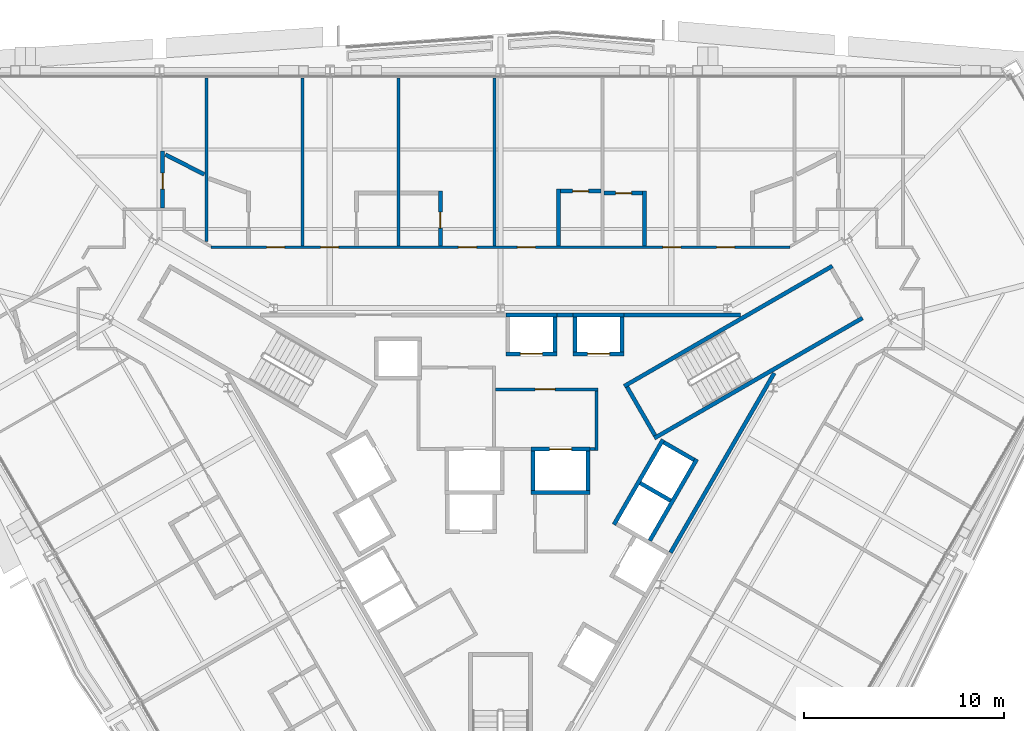
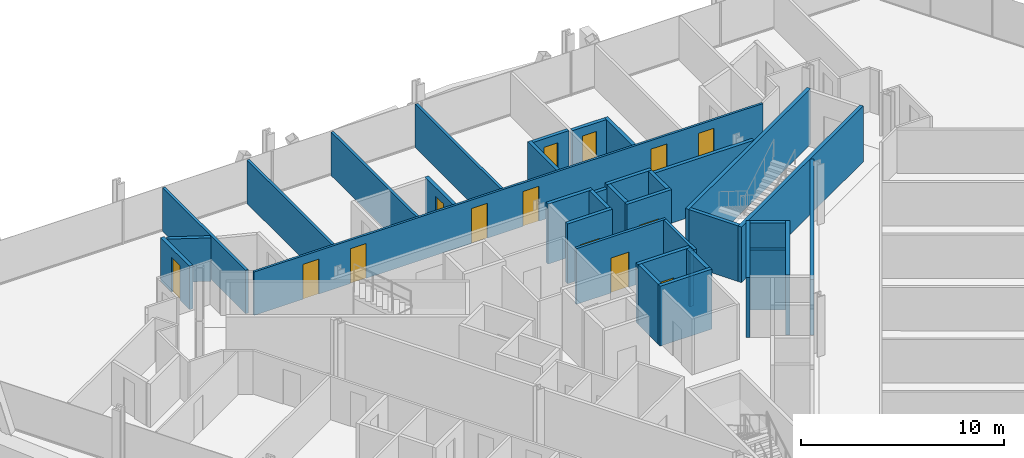
# One storey, part 15 of 18: 36 walls, 14 doors, 14 openings.
"""IFC4 building model written with IfcOpenShell, lengths in metres."""

from ifc_helpers import new_model, si_unit, direction, frame, frame_2d, origin, place, context, subcontext, project, spatial, rectangle, extrude, material, layer, layer_set, type_object, element, fill, save


model = new_model("IFC4")

# Units and contexts
model_context = context("Model", 3, precision=1e-05, world=origin(), true_north=direction((0.0, 1.0)))
body_context = subcontext(model_context, "Body", "Model", "MODEL_VIEW")
ifc_project = project(units=[si_unit("LENGTHUNIT", "METRE"), si_unit("AREAUNIT", "SQUARE_METRE"), si_unit("VOLUMEUNIT", "CUBIC_METRE"), si_unit("PLANEANGLEUNIT", "RADIAN"), si_unit("MASSUNIT", "GRAM", prefix="KILO")], contexts=[model_context])

# Site, building, storey
site_placement = place(None, origin())
site = spatial("IfcSite", under=ifc_project, at=site_placement, CompositionType="ELEMENT")
building_placement = place(site_placement, origin())
building = spatial("IfcBuilding", under=site, at=building_placement, Name="Verrane Prism Tower", CompositionType="ELEMENT")
storey_placement = place(building_placement, frame((0.0, 0.0, 54.800048828125)))
storey = spatial("IfcBuildingStorey", under=building, at=storey_placement, Name="L11", CompositionType="ELEMENT", Elevation=54.800048828125)

# Walls
ifc_material_1 = material(Name="Gypsum board partition", Category="other")
ifc_layer_1 = layer(ifc_material_1, 0.199951171875)
ifc_layer_set_1 = layer_set([ifc_layer_1], Name="CW-200 core boundary wall 2 h")
wall_type_1 = type_object("IfcWallType", Name="CW-200 core boundary wall 2 h", PredefinedType="PARTITIONING", material=ifc_layer_set_1)
wall_1_placement = place(storey_placement, frame((2.81689453125, 8.860107421875, 0.0), z_axis=(0.0, 0.0, 1.0), x_axis=(1.0, 0.0, 0.0)))
element("IfcWall", 1, at=wall_1_placement, inside=storey, type_object=wall_type_1, Name="Core boundary wall CW3-004", PredefinedType="PARTITIONING", context=body_context, shape_type="SweptSolid", body=[
    extrude(rectangle(XDim=0.80615234375, YDim=0.199951171875, at=frame_2d((0.403076171875, 0.0))), origin(), (0.0, 0.0, 1.0), 3.349853515625),
])
wall_2_placement = place(storey_placement, frame((6.177001953125, 8.860107421875, 0.0), z_axis=(0.0, 0.0, 1.0), x_axis=(1.0, 0.0, 0.0)))
element("IfcWall", 2, at=wall_2_placement, inside=storey, type_object=wall_type_1, Name="Core boundary wall CW3-006", PredefinedType="PARTITIONING", context=body_context, shape_type="SweptSolid", body=[
    extrude(rectangle(XDim=5.81396484375, YDim=0.199951171875, at=frame_2d((2.906982421875, 0.0))), origin(), (0.0, 0.0, 1.0), 3.349853515625),
])
wall_3_placement = place(storey_placement, frame((8.491943359375, -3.011962890625, 0.0), z_axis=(0.0, 0.0, 1.0), x_axis=(0.499972957231, 0.866041016371, 0.0)))
element("IfcWall", 3, at=wall_3_placement, inside=storey, type_object=wall_type_1, Name="Core boundary wall CW3-007", PredefinedType="PARTITIONING", context=body_context, shape_type="SweptSolid", body=[
    extrude(rectangle(XDim=10.3486328125, YDim=0.199951171875, at=frame_2d((5.17431640625, 0.0))), origin(), (0.0, 0.0, 1.0), 3.349853515625),
])
ifc_material_2 = material(Name="Concrete C40/50", Category="concrete")
ifc_layer_2 = layer(ifc_material_2, 0.199951171875)
ifc_layer_set_2 = layer_set([ifc_layer_2], Name="CW-200 stair core wall concrete C40/50 3 h")
wall_type_2 = type_object("IfcWallType", Name="CW-200 stair core wall concrete C40/50 3 h", PredefinedType="PARTITIONING", material=ifc_layer_set_2)
for number, where, z_axis, x_axis, name in (
    (4, (6.17822265625, 5.299072265625, 0.0), (0.0, 0.0, 1.0), (0.866026010844, 0.49999894854, 0.0), "Stair 1 enclosure wall"),
    (5, (7.67822265625, 2.700927734375, 0.0), (0.0, 0.0, 1.0), (0.866026010844, 0.49999894854, 0.0), "Stair 1 enclosure wall"),
):
    element("IfcWall", number, at=place(storey_placement, frame(where, z_axis=z_axis, x_axis=x_axis)), inside=storey, type_object=wall_type_2, Name=name, PredefinedType="PARTITIONING", context=body_context, shape_type="SweptSolid", body=[
        extrude(rectangle(XDim=12.0, YDim=0.199951171875, at=frame_2d((6.0, 0.0))), origin(), (0.0, 0.0, 1.0), 3.349853515625),
    ])
wall_4_placement = place(storey_placement, frame((7.71484375, 2.837646484375, 0.0), z_axis=(0.0, 0.0, 1.0), x_axis=(-0.500049511043, 0.865996816683, 0.0)))
element("IfcWall", 6, at=wall_4_placement, inside=storey, type_object=wall_type_2, Name="Stair 1 enclosure wall", PredefinedType="PARTITIONING", context=body_context, shape_type="SweptSolid", body=[
    extrude(rectangle(XDim=2.800048828125, YDim=0.199951171875, at=frame_2d((1.39990234375, 0.0))), origin(), (0.0, 0.0, 1.0), 3.349853515625),
])
ifc_material_3 = material(Name="Gypsum board shaft wall assembly", Category="other")
ifc_layer_3 = layer(ifc_material_3, 0.199951171875)
ifc_layer_set_3 = layer_set([ifc_layer_3], Name="HW-200 lift shaft wall 2 h")
wall_type_3 = type_object("IfcWallType", Name="HW-200 lift shaft wall 2 h", PredefinedType="PARTITIONING", material=ifc_layer_set_3)
wall_5_placement = place(storey_placement, frame((1.52490234375, 0.0, 0.0), z_axis=(0.0, 0.0, 1.0), x_axis=(1.0, 0.0, 0.0)))
element("IfcWall", 7, at=wall_5_placement, inside=storey, type_object=wall_type_3, Name="Lift shaft wall", PredefinedType="PARTITIONING", context=body_context, shape_type="SweptSolid", body=[
    extrude(rectangle(XDim=2.9501953125, YDim=0.199951171875, at=frame_2d((1.47509765625, 0.0))), origin(), (0.0, 0.0, 1.0), 3.599853515625),
])

# Wall, opening, door
wall_6_placement = place(storey_placement, frame((1.52490234375, 2.14990234375, 0.0), z_axis=(0.0, 0.0, 1.0), x_axis=(1.0, 0.0, 0.0)))
wall_6 = element("IfcWall", 8, at=wall_6_placement, inside=storey, type_object=wall_type_3, Name="Lift shaft wall", PredefinedType="PARTITIONING", context=body_context, shape_type="SweptSolid", body=[
    extrude(rectangle(XDim=2.9501953125, YDim=0.199951171875, at=frame_2d((1.47509765625, 0.0))), origin(), (0.0, 0.0, 1.0), 3.599853515625),
])
opening_1_placement = place(wall_6_placement, frame((0.925048828125, 0.0, 0.0)))
opening_1 = element("IfcOpeningElement", 9, at=opening_1_placement, cuts=wall_6, Name="Opening D09509", PredefinedType="OPENING", context=body_context, shape_type="SweptSolid", body=[
    extrude(rectangle(XDim=1.10009765625, YDim=2.10009765625, at=frame_2d((0.550048828125, 1.050048828125))), frame((0.0, 0.10986328125, 0.0), z_axis=(0.0, -1.0, 0.0), x_axis=(1.0, 0.0, 0.0)), (0.0, 0.0, 1.0), 0.219970703125),
])
ifc_material_4 = material(Name="Stainless steel sliding landing door", Category="steel")
door_type_1 = type_object("IfcDoorType", Name="LD-1100x2100 lift landing door FD90 sliding", OperationType="NOTDEFINED", PredefinedType="DOOR", material=ifc_material_4)
door_1_placement = place(opening_1_placement, origin())
door_1 = element("IfcDoor", 10, at=door_1_placement, inside=storey, type_object=door_type_1, Name="Fire service lift 2 landing door", OperationType="SLIDING_TO_RIGHT", OverallHeight=2.10009765625, OverallWidth=1.10009765625, PredefinedType="DOOR", context=body_context, shape_type="SweptSolid", body=[
    extrude(rectangle(XDim=1.10009765625, YDim=2.10009765625, at=frame_2d((0.550048828125, 1.050048828125))), frame((0.0, 0.02490234375, 0.0), z_axis=(0.0, -1.0, 0.0), x_axis=(1.0, 0.0, 0.0)), (0.0, 0.0, 1.0), 0.050048828125),
])
fill(opening_1, door_1)

wall_7_placement = place(storey_placement, frame((0.264892578125, 6.909912109375, 0.0), z_axis=(0.0, 0.0, 1.0), x_axis=(1.0, 0.0, 0.0)))
wall_7 = element("IfcWall", 11, at=wall_7_placement, inside=storey, type_object=wall_type_3, Name="Lift shaft wall", PredefinedType="PARTITIONING", context=body_context, shape_type="SweptSolid", body=[
    extrude(rectangle(XDim=2.550048828125, YDim=0.199951171875, at=frame_2d((1.27490234375, 0.0))), origin(), (0.0, 0.0, 1.0), 3.599853515625),
])
opening_2_placement = place(wall_7_placement, frame((0.72509765625, 0.0, 0.0)))
opening_2 = element("IfcOpeningElement", 12, at=opening_2_placement, cuts=wall_7, Name="Opening D09503", PredefinedType="OPENING", context=body_context, shape_type="SweptSolid", body=[
    extrude(rectangle(XDim=1.10009765625, YDim=2.10009765625, at=frame_2d((0.550048828125, 1.050048828125))), frame((0.0, 0.10986328125, 0.0), z_axis=(0.0, -1.0, 0.0), x_axis=(1.0, 0.0, 0.0)), (0.0, 0.0, 1.0), 0.219970703125),
])
door_2_placement = place(opening_2_placement, origin())
door_2 = element("IfcDoor", 13, at=door_2_placement, inside=storey, type_object=door_type_1, Name="Bank A lift 1 landing door", OperationType="SLIDING_TO_LEFT", OverallHeight=2.10009765625, OverallWidth=1.10009765625, PredefinedType="DOOR", context=body_context, shape_type="SweptSolid", body=[
    extrude(rectangle(XDim=1.10009765625, YDim=2.10009765625, at=frame_2d((0.550048828125, 1.050048828125))), frame((0.0, 0.02490234375, 0.0), z_axis=(0.0, -1.0, 0.0), x_axis=(1.0, 0.0, 0.0)), (0.0, 0.0, 1.0), 0.050048828125),
])
fill(opening_2, door_2)

wall_8_placement = place(storey_placement, frame((3.625, 6.909912109375, 0.0), z_axis=(0.0, 0.0, 1.0), x_axis=(1.0, 0.0, 0.0)))
wall_8 = element("IfcWall", 14, at=wall_8_placement, inside=storey, type_object=wall_type_3, Name="Lift shaft wall", PredefinedType="PARTITIONING", context=body_context, shape_type="SweptSolid", body=[
    extrude(rectangle(XDim=2.550048828125, YDim=0.199951171875, at=frame_2d((1.27490234375, 0.0))), origin(), (0.0, 0.0, 1.0), 3.599853515625),
])
opening_3_placement = place(wall_8_placement, frame((0.72509765625, 0.0, 0.0)))
opening_3 = element("IfcOpeningElement", 15, at=opening_3_placement, cuts=wall_8, Name="Opening D09505", PredefinedType="OPENING", context=body_context, shape_type="SweptSolid", body=[
    extrude(rectangle(XDim=1.10009765625, YDim=2.10009765625, at=frame_2d((0.550048828125, 1.050048828125))), frame((0.0, 0.10986328125, 0.0), z_axis=(0.0, -1.0, 0.0), x_axis=(1.0, 0.0, 0.0)), (0.0, 0.0, 1.0), 0.219970703125),
])
door_3_placement = place(opening_3_placement, origin())
door_3 = element("IfcDoor", 16, at=door_3_placement, inside=storey, type_object=door_type_1, Name="Bank A lift 3 landing door", OperationType="SLIDING_TO_LEFT", OverallHeight=2.10009765625, OverallWidth=1.10009765625, PredefinedType="DOOR", context=body_context, shape_type="SweptSolid", body=[
    extrude(rectangle(XDim=1.10009765625, YDim=2.10009765625, at=frame_2d((0.550048828125, 1.050048828125))), frame((0.0, 0.02490234375, 0.0), z_axis=(0.0, -1.0, 0.0), x_axis=(1.0, 0.0, 0.0)), (0.0, 0.0, 1.0), 0.050048828125),
])
fill(opening_3, door_3)

# Walls
for number, where, z_axis, x_axis, name in (
    (17, (0.264892578125, 8.860107421875, 0.0), (0.0, 0.0, 1.0), (1.0, 0.0, 0.0), "Lift shaft wall"),
    (18, (3.625, 8.860107421875, 0.0), (0.0, 0.0, 1.0), (1.0, 0.0, 0.0), "Lift shaft wall"),
):
    element("IfcWall", number, at=place(storey_placement, frame(where, z_axis=z_axis, x_axis=x_axis)), inside=storey, type_object=wall_type_3, Name=name, PredefinedType="PARTITIONING", context=body_context, shape_type="SweptSolid", body=[
        extrude(rectangle(XDim=2.550048828125, YDim=0.199951171875, at=frame_2d((1.27490234375, 0.0))), origin(), (0.0, 0.0, 1.0), 3.599853515625),
    ])
wall_9_placement = place(storey_placement, frame((7.451171875, -2.4140625, 0.0), z_axis=(0.0, 0.0, 1.0), x_axis=(0.500016218704, 0.866016039709, 0.0)))
element("IfcWall", 19, at=wall_9_placement, inside=storey, type_object=wall_type_3, Name="Lift shaft wall", PredefinedType="PARTITIONING", context=body_context, shape_type="SweptSolid", body=[
    extrude(rectangle(XDim=4.699951171875, YDim=0.199951171875, at=frame_2d((2.35009765625, 0.0))), origin(), (0.0, 0.0, 1.0), 3.599853515625),
])
wall_10_placement = place(storey_placement, frame((5.66259765625, -1.6123046875, 0.0), z_axis=(0.0, 0.0, 1.0), x_axis=(0.49998122708, 0.866036242063, 0.0)))
element("IfcWall", 20, at=wall_10_placement, inside=storey, type_object=wall_type_3, Name="Lift shaft wall", PredefinedType="PARTITIONING", context=body_context, shape_type="SweptSolid", body=[
    extrude(rectangle(XDim=4.900146484375, YDim=0.199951171875, at=frame_2d((2.4501953125, 0.0))), origin(), (0.0, 0.0, 1.0), 3.599853515625),
])
wall_11_placement = place(storey_placement, frame((6.074951171875, 7.010009765625, 0.0), z_axis=(0.0, 0.0, 1.0), x_axis=(0.0, 1.0, 0.0)))
element("IfcWall", 21, at=wall_11_placement, inside=storey, type_object=wall_type_3, Name="Lift shaft wall", PredefinedType="PARTITIONING", context=body_context, shape_type="SweptSolid", body=[
    extrude(rectangle(XDim=1.75, YDim=0.199951171875, at=frame_2d((0.875, 0.0))), origin(), (0.0, 0.0, 1.0), 3.599853515625),
])
wall_12_placement = place(storey_placement, frame((4.375, 0.10009765625, 0.0), z_axis=(0.0, 0.0, 1.0), x_axis=(0.0, 1.0, 0.0)))
element("IfcWall", 22, at=wall_12_placement, inside=storey, type_object=wall_type_3, Name="Lift shaft wall", PredefinedType="PARTITIONING", context=body_context, shape_type="SweptSolid", body=[
    extrude(rectangle(XDim=1.949951171875, YDim=0.199951171875, at=frame_2d((0.97509765625, 0.0))), origin(), (0.0, 0.0, 1.0), 3.599853515625),
])
for number, where, z_axis, x_axis, name in (
    (23, (3.72509765625, 7.010009765625, 0.0), (0.0, 0.0, 1.0), (0.0, 1.0, 0.0), "Lift shaft wall"),
    (24, (2.715087890625, 7.010009765625, 0.0), (0.0, 0.0, 1.0), (0.0, 1.0, 0.0), "Lift shaft wall"),
):
    element("IfcWall", number, at=place(storey_placement, frame(where, z_axis=z_axis, x_axis=x_axis)), inside=storey, type_object=wall_type_3, Name=name, PredefinedType="PARTITIONING", context=body_context, shape_type="SweptSolid", body=[
        extrude(rectangle(XDim=1.75, YDim=0.199951171875, at=frame_2d((0.875, 0.0))), origin(), (0.0, 0.0, 1.0), 3.599853515625),
    ])
wall_13_placement = place(storey_placement, frame((1.625, 0.10009765625, 0.0), z_axis=(0.0, 0.0, 1.0), x_axis=(0.0, 1.0, 0.0)))
element("IfcWall", 25, at=wall_13_placement, inside=storey, type_object=wall_type_3, Name="Lift shaft wall", PredefinedType="PARTITIONING", context=body_context, shape_type="SweptSolid", body=[
    extrude(rectangle(XDim=1.949951171875, YDim=0.199951171875, at=frame_2d((0.97509765625, 0.0))), origin(), (0.0, 0.0, 1.0), 3.599853515625),
])
wall_14_placement = place(storey_placement, frame((9.66455078125, 1.61962890625, 0.0), z_axis=(0.0, 0.0, 1.0), x_axis=(-0.866002029911, 0.500040482552, 0.0)))
element("IfcWall", 26, at=wall_14_placement, inside=storey, type_object=wall_type_3, Name="Lift shaft wall", PredefinedType="PARTITIONING", context=body_context, shape_type="SweptSolid", body=[
    extrude(rectangle(XDim=1.749755859375, YDim=0.199951171875, at=frame_2d((0.875, 0.0))), origin(), (0.0, 0.0, 1.0), 3.599853515625),
])
wall_15_placement = place(storey_placement, frame((8.48974609375, -0.41552734375, 0.0), z_axis=(0.0, 0.0, 1.0), x_axis=(-0.866036909293, 0.499980071345, 0.0)))
element("IfcWall", 27, at=wall_15_placement, inside=storey, type_object=wall_type_3, Name="Lift shaft wall", PredefinedType="PARTITIONING", context=body_context, shape_type="SweptSolid", body=[
    extrude(rectangle(XDim=1.75, YDim=0.199951171875, at=frame_2d((0.875, 0.0))), origin(), (0.0, 0.0, 1.0), 3.599853515625),
])

# Wall, opening, door
ifc_material_5 = material(Name="Gypsum board partition", Category="other")
ifc_layer_4 = layer(ifc_material_5, 0.14990234375)
ifc_layer_set_4 = layer_set([ifc_layer_4], Name="LF-150 firefighting lobby wall 1 h")
wall_type_4 = type_object("IfcWallType", Name="LF-150 firefighting lobby wall 1 h", PredefinedType="PARTITIONING", material=ifc_layer_set_4)
wall_16_placement = place(storey_placement, frame((-0.2451171875, 5.139892578125, 0.0), z_axis=(0.0, 0.0, 1.0), x_axis=(1.0, 0.0, 0.0)))
wall_16 = element("IfcWall", 28, at=wall_16_placement, inside=storey, type_object=wall_type_4, Name="Firefighting lobby wall LF1-005", PredefinedType="PARTITIONING", context=body_context, shape_type="SweptSolid", body=[
    extrude(rectangle(XDim=5.110107421875, YDim=0.14990234375, at=frame_2d((2.55517578125, 0.0))), origin(), (0.0, 0.0, 1.0), 3.349853515625),
])
opening_4_placement = place(wall_16_placement, frame((1.97509765625, 0.0, 0.0)))
opening_4 = element("IfcOpeningElement", 29, at=opening_4_placement, cuts=wall_16, Name="Opening D09516", PredefinedType="OPENING", context=body_context, shape_type="SweptSolid", body=[
    extrude(rectangle(XDim=1.0, YDim=2.10009765625, at=frame_2d((0.5, 1.050048828125))), frame((0.0, 0.0849609375, 0.0), z_axis=(0.0, -1.0, 0.0), x_axis=(1.0, 0.0, 0.0)), (0.0, 0.0, 1.0), 0.169921875),
])
ifc_material_6 = material(Name="Timber veneered door leaf", Category="wood")
door_type_2 = type_object("IfcDoorType", Name="DR-1000x2100 FD60 single leaf firefighting lobby", OperationType="NOTDEFINED", PredefinedType="DOOR", material=ifc_material_6)
door_4_placement = place(opening_4_placement, origin())
door_4 = element("IfcDoor", 30, at=door_4_placement, inside=storey, type_object=door_type_2, Name="Firefighting lobby door D09516", OperationType="SINGLE_SWING_RIGHT", OverallHeight=2.10009765625, OverallWidth=1.0, PredefinedType="DOOR", context=body_context, shape_type="SweptSolid", body=[
    extrude(rectangle(XDim=1.0, YDim=2.10009765625, at=frame_2d((0.5, 1.050048828125))), frame((0.0, 0.02490234375, 0.0), z_axis=(0.0, -1.0, 0.0), x_axis=(1.0, 0.0, 0.0)), (0.0, 0.0, 1.0), 0.050048828125),
])
fill(opening_4, door_4)

# Walls
wall_17_placement = place(storey_placement, frame((4.47705078125, 2.159912109375, 0.0), z_axis=(0.0, 0.0, 1.0), x_axis=(1.0, 0.0, 0.0)))
element("IfcWall", 31, at=wall_17_placement, inside=storey, type_object=wall_type_4, Name="Firefighting lobby wall LF1-007", PredefinedType="PARTITIONING", context=body_context, shape_type="SweptSolid", body=[
    extrude(rectangle(XDim=0.238037109375, YDim=0.14990234375, at=frame_2d((0.119140625, 0.0))), origin(), (0.0, 0.0, 1.0), 3.349853515625),
])
wall_18_placement = place(storey_placement, frame((4.7900390625, 2.0849609375, 0.0), z_axis=(0.0, 0.0, 1.0), x_axis=(0.0, 1.0, 0.0)))
element("IfcWall", 32, at=wall_18_placement, inside=storey, type_object=wall_type_4, Name="Firefighting lobby wall LF1-008", PredefinedType="PARTITIONING", context=body_context, shape_type="SweptSolid", body=[
    extrude(rectangle(XDim=2.97998046875, YDim=0.14990234375, at=frame_2d((1.489990234375, 0.0))), origin(), (0.0, 0.0, 1.0), 3.349853515625),
])

# Wall, openings, doors
ifc_material_7 = material(Name="Gypsum board partition", Category="other")
ifc_layer_5 = layer(ifc_material_7, 0.125)
ifc_layer_set_5 = layer_set([ifc_layer_5], Name="PW-125 corridor wall 1 h")
wall_type_5 = type_object("IfcWallType", Name="PW-125 corridor wall 1 h", PredefinedType="PARTITIONING", material=ifc_layer_set_5)
wall_19_placement = place(storey_placement, frame((-14.464599609375, 12.240966796875, 0.0), z_axis=(0.0, 0.0, 1.0), x_axis=(1.0, 0.0, 0.0)))
wall_19 = element("IfcWall", 33, at=wall_19_placement, inside=storey, type_object=wall_type_5, Name="Corridor wall 028", PredefinedType="PARTITIONING", context=body_context, shape_type="SweptSolid", body=[
    extrude(rectangle(XDim=28.92919921875, YDim=0.125, at=frame_2d((14.464599609375, 0.0))), origin(), (0.0, 0.0, 1.0), 2.613037109375),
])
opening_5_placement = place(wall_19_placement, frame((25.25244140625, 0.0, 0.0)))
opening_5 = element("IfcOpeningElement", 34, at=opening_5_placement, cuts=wall_19, Name="Opening D09012", PredefinedType="OPENING", context=body_context, shape_type="SweptSolid", body=[
    extrude(rectangle(XDim=0.89990234375, YDim=2.10009765625, at=frame_2d((0.449951171875, 1.050048828125))), frame((0.0, 0.072509765625, 0.0), z_axis=(0.0, -1.0, 0.0), x_axis=(1.0, 0.0, 0.0)), (0.0, 0.0, 1.0), 0.14501953125),
])
opening_6_placement = place(wall_19_placement, frame((22.564453125, 0.0, 0.0)))
opening_6 = element("IfcOpeningElement", 35, at=opening_6_placement, cuts=wall_19, Name="Opening D09014", PredefinedType="OPENING", context=body_context, shape_type="SweptSolid", body=[
    extrude(rectangle(XDim=0.89990234375, YDim=2.10009765625, at=frame_2d((0.449951171875, 1.050048828125))), frame((0.0, 0.072509765625, 0.0), z_axis=(0.0, -1.0, 0.0), x_axis=(1.0, 0.0, 0.0)), (0.0, 0.0, 1.0), 0.14501953125),
])
opening_7_placement = place(wall_19_placement, frame((15.302490234375, 0.0, 0.0)))
opening_7 = element("IfcOpeningElement", 36, at=opening_7_placement, cuts=wall_19, Name="Opening D09016", PredefinedType="OPENING", context=body_context, shape_type="SweptSolid", body=[
    extrude(rectangle(XDim=0.89990234375, YDim=2.10009765625, at=frame_2d((0.449951171875, 1.050048828125))), frame((0.0, 0.072509765625, 0.0), z_axis=(0.0, -1.0, 0.0), x_axis=(1.0, 0.0, 0.0)), (0.0, 0.0, 1.0), 0.14501953125),
])
opening_8_placement = place(wall_19_placement, frame((12.364501953125, 0.0, 0.0)))
opening_8 = element("IfcOpeningElement", 37, at=opening_8_placement, cuts=wall_19, Name="Opening D09018", PredefinedType="OPENING", context=body_context, shape_type="SweptSolid", body=[
    extrude(rectangle(XDim=0.89990234375, YDim=2.10009765625, at=frame_2d((0.449951171875, 1.050048828125))), frame((0.0, 0.072509765625, 0.0), z_axis=(0.0, -1.0, 0.0), x_axis=(1.0, 0.0, 0.0)), (0.0, 0.0, 1.0), 0.14501953125),
])
opening_9_placement = place(wall_19_placement, frame((5.4765625, 0.0, 0.0)))
opening_9 = element("IfcOpeningElement", 38, at=opening_9_placement, cuts=wall_19, Name="Opening D09020", PredefinedType="OPENING", context=body_context, shape_type="SweptSolid", body=[
    extrude(rectangle(XDim=0.89990234375, YDim=2.10009765625, at=frame_2d((0.449951171875, 1.050048828125))), frame((0.0, 0.072509765625, 0.0), z_axis=(0.0, -1.0, 0.0), x_axis=(1.0, 0.0, 0.0)), (0.0, 0.0, 1.0), 0.14501953125),
])
opening_10_placement = place(wall_19_placement, frame((2.78857421875, 0.0, 0.0)))
opening_10 = element("IfcOpeningElement", 39, at=opening_10_placement, cuts=wall_19, Name="Opening D09022", PredefinedType="OPENING", context=body_context, shape_type="SweptSolid", body=[
    extrude(rectangle(XDim=0.89990234375, YDim=2.10009765625, at=frame_2d((0.449951171875, 1.050048828125))), frame((0.0, 0.072509765625, 0.0), z_axis=(0.0, -1.0, 0.0), x_axis=(1.0, 0.0, 0.0)), (0.0, 0.0, 1.0), 0.14501953125),
])
ifc_material_8 = material(Name="Timber veneered door leaf", Category="wood")
door_type_3 = type_object("IfcDoorType", Name="DR-900x2100 FD20 single leaf unit", OperationType="NOTDEFINED", PredefinedType="DOOR", material=ifc_material_8)
door_5_placement = place(opening_5_placement, origin())
door_5 = element("IfcDoor", 40, at=door_5_placement, inside=storey, type_object=door_type_3, Name="Guest Room door", OperationType="SINGLE_SWING_RIGHT", OverallHeight=2.10009765625, OverallWidth=0.89990234375, PredefinedType="DOOR", context=body_context, shape_type="SweptSolid", body=[
    extrude(rectangle(XDim=0.89990234375, YDim=2.10009765625, at=frame_2d((0.449951171875, 1.050048828125))), frame((0.0, 0.02490234375, 0.0), z_axis=(0.0, -1.0, 0.0), x_axis=(1.0, 0.0, 0.0)), (0.0, 0.0, 1.0), 0.050048828125),
])
fill(opening_5, door_5)
door_6_placement = place(opening_6_placement, origin())
door_6 = element("IfcDoor", 41, at=door_6_placement, inside=storey, type_object=door_type_3, Name="Guest Room door", OperationType="SINGLE_SWING_RIGHT", OverallHeight=2.10009765625, OverallWidth=0.89990234375, PredefinedType="DOOR", context=body_context, shape_type="SweptSolid", body=[
    extrude(rectangle(XDim=0.89990234375, YDim=2.10009765625, at=frame_2d((0.449951171875, 1.050048828125))), frame((0.0, 0.02490234375, 0.0), z_axis=(0.0, -1.0, 0.0), x_axis=(1.0, 0.0, 0.0)), (0.0, 0.0, 1.0), 0.050048828125),
])
fill(opening_6, door_6)
door_7_placement = place(opening_7_placement, origin())
door_7 = element("IfcDoor", 42, at=door_7_placement, inside=storey, type_object=door_type_3, Name="Guest Room door", OperationType="SINGLE_SWING_RIGHT", OverallHeight=2.10009765625, OverallWidth=0.89990234375, PredefinedType="DOOR", context=body_context, shape_type="SweptSolid", body=[
    extrude(rectangle(XDim=0.89990234375, YDim=2.10009765625, at=frame_2d((0.449951171875, 1.050048828125))), frame((0.0, 0.02490234375, 0.0), z_axis=(0.0, -1.0, 0.0), x_axis=(1.0, 0.0, 0.0)), (0.0, 0.0, 1.0), 0.050048828125),
])
fill(opening_7, door_7)
door_8_placement = place(opening_8_placement, origin())
door_8 = element("IfcDoor", 43, at=door_8_placement, inside=storey, type_object=door_type_3, Name="Guest Room door", OperationType="SINGLE_SWING_RIGHT", OverallHeight=2.10009765625, OverallWidth=0.89990234375, PredefinedType="DOOR", context=body_context, shape_type="SweptSolid", body=[
    extrude(rectangle(XDim=0.89990234375, YDim=2.10009765625, at=frame_2d((0.449951171875, 1.050048828125))), frame((0.0, 0.02490234375, 0.0), z_axis=(0.0, -1.0, 0.0), x_axis=(1.0, 0.0, 0.0)), (0.0, 0.0, 1.0), 0.050048828125),
])
fill(opening_8, door_8)
door_9_placement = place(opening_9_placement, origin())
door_9 = element("IfcDoor", 44, at=door_9_placement, inside=storey, type_object=door_type_3, Name="Guest Room door", OperationType="SINGLE_SWING_RIGHT", OverallHeight=2.10009765625, OverallWidth=0.89990234375, PredefinedType="DOOR", context=body_context, shape_type="SweptSolid", body=[
    extrude(rectangle(XDim=0.89990234375, YDim=2.10009765625, at=frame_2d((0.449951171875, 1.050048828125))), frame((0.0, 0.02490234375, 0.0), z_axis=(0.0, -1.0, 0.0), x_axis=(1.0, 0.0, 0.0)), (0.0, 0.0, 1.0), 0.050048828125),
])
fill(opening_9, door_9)
door_10_placement = place(opening_10_placement, origin())
door_10 = element("IfcDoor", 45, at=door_10_placement, inside=storey, type_object=door_type_3, Name="Guest Room door", OperationType="SINGLE_SWING_RIGHT", OverallHeight=2.10009765625, OverallWidth=0.89990234375, PredefinedType="DOOR", context=body_context, shape_type="SweptSolid", body=[
    extrude(rectangle(XDim=0.89990234375, YDim=2.10009765625, at=frame_2d((0.449951171875, 1.050048828125))), frame((0.0, 0.02490234375, 0.0), z_axis=(0.0, -1.0, 0.0), x_axis=(1.0, 0.0, 0.0)), (0.0, 0.0, 1.0), 0.050048828125),
])
fill(opening_10, door_10)

# Walls
ifc_material_9 = material(Name="Gypsum board partition", Category="other")
ifc_layer_6 = layer(ifc_material_9, 0.14990234375)
ifc_layer_set_6 = layer_set([ifc_layer_6], Name="PW-150 demising wall 1 h")
wall_type_6 = type_object("IfcWallType", Name="PW-150 demising wall 1 h", PredefinedType="PARTITIONING", material=ifc_layer_set_6)
wall_20_placement = place(storey_placement, frame((-14.676025390625, 12.514404296875, 0.0), z_axis=(0.0, 0.0, 1.0), x_axis=(0.0, 1.0, 0.0)))
element("IfcWall", 46, at=wall_20_placement, inside=storey, type_object=wall_type_6, Name="Demising wall 026", PredefinedType="PARTITIONING", context=body_context, shape_type="SweptSolid", body=[
    extrude(rectangle(XDim=8.1806640625, YDim=0.14990234375, at=frame_2d((4.09033203125, 0.0))), origin(), (0.0, 0.0, 1.0), 2.613037109375),
])
for number, where, z_axis, x_axis, name in (
    (47, (-9.887939453125, 12.303466796875, 0.0), (0.0, 0.0, 1.0), (0.0, 1.0, 0.0), "Demising wall 036"),
    (48, (-5.10009765625, 12.303466796875, 0.0), (0.0, 0.0, 1.0), (0.0, 1.0, 0.0), "Demising wall 044"),
    (49, (-0.31201171875, 12.303466796875, 0.0), (0.0, 0.0, 1.0), (0.0, 1.0, 0.0), "Demising wall 051"),
):
    element("IfcWall", number, at=place(storey_placement, frame(where, z_axis=z_axis, x_axis=x_axis)), inside=storey, type_object=wall_type_6, Name=name, PredefinedType="PARTITIONING", context=body_context, shape_type="SweptSolid", body=[
        extrude(rectangle(XDim=8.3916015625, YDim=0.14990234375, at=frame_2d((4.19580078125, 0.0))), origin(), (0.0, 0.0, 1.0), 2.613037109375),
    ])

# Wall, opening, door
ifc_material_10 = material(Name="Gypsum board partition", Category="other")
ifc_layer_7 = layer(ifc_material_10, 0.199951171875)
ifc_layer_set_7 = layer_set([ifc_layer_7], Name="PW-200 plumbing wall")
wall_type_7 = type_object("IfcWallType", Name="PW-200 plumbing wall", PredefinedType="PARTITIONING", material=ifc_layer_set_7)
wall_21_placement = place(storey_placement, frame((-16.8759765625, 17.037109375, 0.0), z_axis=(0.0, 0.0, 1.0), x_axis=(0.0, -1.0, 0.0)))
wall_21 = element("IfcWall", 50, at=wall_21_placement, inside=storey, type_object=wall_type_7, Name="Plumbing wall 018", PredefinedType="PARTITIONING", context=body_context, shape_type="SweptSolid", body=[
    extrude(rectangle(XDim=2.837646484375, YDim=0.199951171875, at=frame_2d((1.4189453125, 0.0))), origin(), (0.0, 0.0, 1.0), 2.613037109375),
])
opening_11_placement = place(wall_21_placement, frame((1.10009765625, 0.0, 0.0)))
opening_11 = element("IfcOpeningElement", 51, at=opening_11_placement, cuts=wall_21, Name="Opening D09025", PredefinedType="OPENING", context=body_context, shape_type="SweptSolid", body=[
    extrude(rectangle(XDim=0.800048828125, YDim=2.10009765625, at=frame_2d((0.39990234375, 1.050048828125))), frame((0.0, 0.10986328125, 0.0), z_axis=(0.0, -1.0, 0.0), x_axis=(1.0, 0.0, 0.0)), (0.0, 0.0, 1.0), 0.219970703125),
])
ifc_material_11 = material(Name="Timber veneered door leaf", Category="wood")
door_type_4 = type_object("IfcDoorType", Name="DR-800x2100 single leaf bath", OperationType="NOTDEFINED", PredefinedType="DOOR", material=ifc_material_11)
door_11_placement = place(opening_11_placement, origin())
door_11 = element("IfcDoor", 52, at=door_11_placement, inside=storey, type_object=door_type_4, Name="En-Suite door", OperationType="SINGLE_SWING_RIGHT", OverallHeight=2.10009765625, OverallWidth=0.800048828125, PredefinedType="DOOR", context=body_context, shape_type="SweptSolid", body=[
    extrude(rectangle(XDim=0.800048828125, YDim=2.10009765625, at=frame_2d((0.39990234375, 1.050048828125))), frame((0.0, 0.02490234375, 0.0), z_axis=(0.0, -1.0, 0.0), x_axis=(1.0, 0.0, 0.0)), (0.0, 0.0, 1.0), 0.050048828125),
])
fill(opening_11, door_11)

# Wall
wall_22_placement = place(storey_placement, frame((-16.72900390625, 16.86181640625, 0.0), z_axis=(0.0, 0.0, 1.0), x_axis=(0.890181338078, -0.455606392995, 0.0)))
element("IfcWall", 53, at=wall_22_placement, inside=storey, type_object=wall_type_7, Name="Plumbing wall 019", PredefinedType="PARTITIONING", context=body_context, shape_type="SweptSolid", body=[
    extrude(rectangle(XDim=2.170654296875, YDim=0.199951171875, at=frame_2d((1.08544921875, 0.0))), origin(), (0.0, 0.0, 1.0), 2.613037109375),
])

# Wall, opening, door
wall_23_placement = place(storey_placement, frame((-3.0, 12.303466796875, 0.0), z_axis=(0.0, 0.0, 1.0), x_axis=(0.0, 1.0, 0.0)))
wall_23 = element("IfcWall", 54, at=wall_23_placement, inside=storey, type_object=wall_type_7, Name="Plumbing wall 048", PredefinedType="PARTITIONING", context=body_context, shape_type="SweptSolid", body=[
    extrude(rectangle(XDim=2.737548828125, YDim=0.199951171875, at=frame_2d((1.36865234375, 0.0))), origin(), (0.0, 0.0, 1.0), 2.613037109375),
])
opening_12_placement = place(wall_23_placement, frame((0.887451171875, 0.0, 0.0)))
opening_12 = element("IfcOpeningElement", 55, at=opening_12_placement, cuts=wall_23, Name="Opening D09019", PredefinedType="OPENING", context=body_context, shape_type="SweptSolid", body=[
    extrude(rectangle(XDim=0.800048828125, YDim=2.10009765625, at=frame_2d((0.39990234375, 1.050048828125))), frame((0.0, 0.10986328125, 0.0), z_axis=(0.0, -1.0, 0.0), x_axis=(1.0, 0.0, 0.0)), (0.0, 0.0, 1.0), 0.219970703125),
])
door_12_placement = place(opening_12_placement, origin())
door_12 = element("IfcDoor", 56, at=door_12_placement, inside=storey, type_object=door_type_4, Name="En-Suite door", OperationType="SINGLE_SWING_LEFT", OverallHeight=2.10009765625, OverallWidth=0.800048828125, PredefinedType="DOOR", context=body_context, shape_type="SweptSolid", body=[
    extrude(rectangle(XDim=0.800048828125, YDim=2.10009765625, at=frame_2d((0.39990234375, 1.050048828125))), frame((0.0, 0.02490234375, 0.0), z_axis=(0.0, -1.0, 0.0), x_axis=(1.0, 0.0, 0.0)), (0.0, 0.0, 1.0), 0.050048828125),
])
fill(opening_12, door_12)

# Wall
wall_24_placement = place(storey_placement, frame((2.89990234375, 12.303466796875, 0.0), z_axis=(0.0, 0.0, 1.0), x_axis=(0.0, 1.0, 0.0)))
element("IfcWall", 57, at=wall_24_placement, inside=storey, type_object=wall_type_7, Name="Plumbing wall 055", PredefinedType="PARTITIONING", context=body_context, shape_type="SweptSolid", body=[
    extrude(rectangle(XDim=2.837646484375, YDim=0.199951171875, at=frame_2d((1.4189453125, 0.0))), origin(), (0.0, 0.0, 1.0), 2.613037109375),
])

# Wall, opening, door
wall_25_placement = place(storey_placement, frame((5.02490234375, 15.041015625, 0.0), z_axis=(0.0, 0.0, 1.0), x_axis=(-1.0, 0.0, 0.0)))
wall_25 = element("IfcWall", 58, at=wall_25_placement, inside=storey, type_object=wall_type_7, Name="Plumbing wall 056", PredefinedType="PARTITIONING", context=body_context, shape_type="SweptSolid", body=[
    extrude(rectangle(XDim=2.02490234375, YDim=0.199951171875, at=frame_2d((1.012451171875, 0.0))), origin(), (0.0, 0.0, 1.0), 2.613037109375),
])
opening_13_placement = place(wall_25_placement, frame((0.625, 0.0, 0.0)))
opening_13 = element("IfcOpeningElement", 59, at=opening_13_placement, cuts=wall_25, Name="Opening D09017", PredefinedType="OPENING", context=body_context, shape_type="SweptSolid", body=[
    extrude(rectangle(XDim=0.800048828125, YDim=2.10009765625, at=frame_2d((0.39990234375, 1.050048828125))), frame((0.0, 0.10986328125, 0.0), z_axis=(0.0, -1.0, 0.0), x_axis=(1.0, 0.0, 0.0)), (0.0, 0.0, 1.0), 0.219970703125),
])
door_13_placement = place(opening_13_placement, origin())
door_13 = element("IfcDoor", 60, at=door_13_placement, inside=storey, type_object=door_type_4, Name="En-Suite door", OperationType="SINGLE_SWING_RIGHT", OverallHeight=2.10009765625, OverallWidth=0.800048828125, PredefinedType="DOOR", context=body_context, shape_type="SweptSolid", body=[
    extrude(rectangle(XDim=0.800048828125, YDim=2.10009765625, at=frame_2d((0.39990234375, 1.050048828125))), frame((0.0, 0.02490234375, 0.0), z_axis=(0.0, -1.0, 0.0), x_axis=(1.0, 0.0, 0.0)), (0.0, 0.0, 1.0), 0.050048828125),
])
fill(opening_13, door_13)

wall_26_placement = place(storey_placement, frame((7.10009765625, 14.94091796875, 0.0), z_axis=(0.0, 0.0, 1.0), x_axis=(-1.0, 0.0, 0.0)))
wall_26 = element("IfcWall", 61, at=wall_26_placement, inside=storey, type_object=wall_type_7, Name="Plumbing wall 062", PredefinedType="PARTITIONING", context=body_context, shape_type="SweptSolid", body=[
    extrude(rectangle(XDim=1.925048828125, YDim=0.199951171875, at=frame_2d((0.96240234375, 0.0))), origin(), (0.0, 0.0, 1.0), 2.613037109375),
])
opening_14_placement = place(wall_26_placement, frame((0.550048828125, 0.0, 0.0)))
opening_14 = element("IfcOpeningElement", 62, at=opening_14_placement, cuts=wall_26, Name="Opening D09015", PredefinedType="OPENING", context=body_context, shape_type="SweptSolid", body=[
    extrude(rectangle(XDim=0.800048828125, YDim=2.10009765625, at=frame_2d((0.39990234375, 1.050048828125))), frame((0.0, 0.10986328125, 0.0), z_axis=(0.0, -1.0, 0.0), x_axis=(1.0, 0.0, 0.0)), (0.0, 0.0, 1.0), 0.219970703125),
])
door_14_placement = place(opening_14_placement, origin())
door_14 = element("IfcDoor", 63, at=door_14_placement, inside=storey, type_object=door_type_4, Name="En-Suite door", OperationType="SINGLE_SWING_RIGHT", OverallHeight=2.10009765625, OverallWidth=0.800048828125, PredefinedType="DOOR", context=body_context, shape_type="SweptSolid", body=[
    extrude(rectangle(XDim=0.800048828125, YDim=2.10009765625, at=frame_2d((0.39990234375, 1.050048828125))), frame((0.0, 0.02490234375, 0.0), z_axis=(0.0, -1.0, 0.0), x_axis=(1.0, 0.0, 0.0)), (0.0, 0.0, 1.0), 0.050048828125),
])
fill(opening_14, door_14)

# Wall
wall_27_placement = place(storey_placement, frame((7.199951171875, 12.303466796875, 0.0), z_axis=(0.0, 0.0, 1.0), x_axis=(0.0, 1.0, 0.0)))
element("IfcWall", 64, at=wall_27_placement, inside=storey, type_object=wall_type_7, Name="Plumbing wall 064", PredefinedType="PARTITIONING", context=body_context, shape_type="SweptSolid", body=[
    extrude(rectangle(XDim=2.737548828125, YDim=0.199951171875, at=frame_2d((1.36865234375, 0.0))), origin(), (0.0, 0.0, 1.0), 2.613037109375),
])

save(model, "model.ifc")
